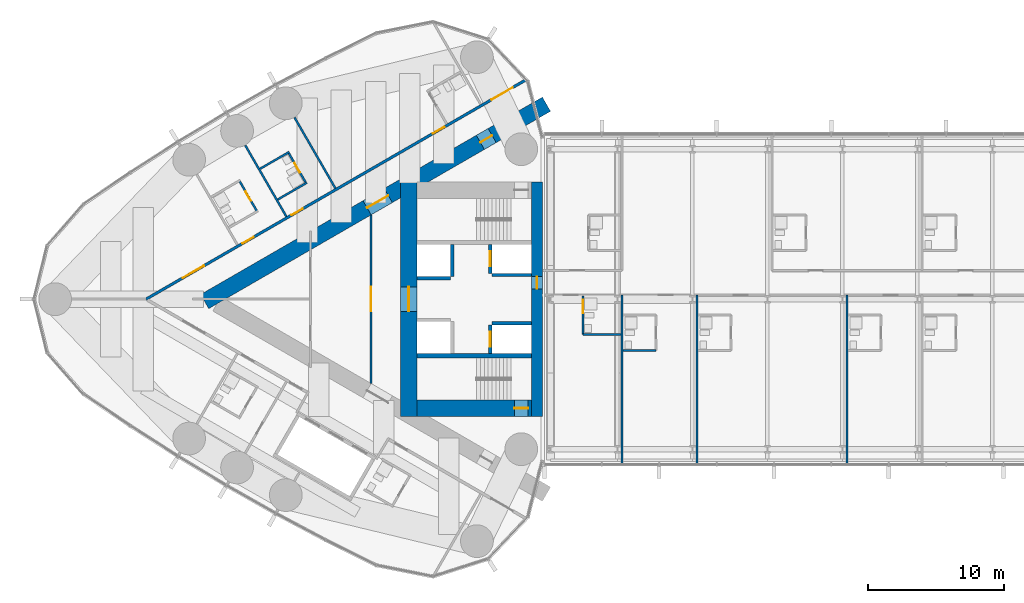
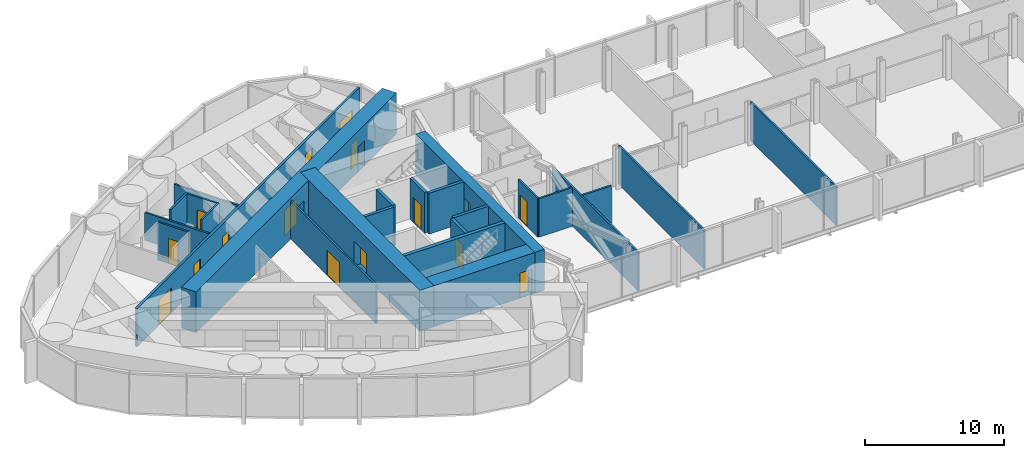
# One storey, part 16 of 24: 25 walls, 16 doors, 16 openings.
"""IFC4 building model written with IfcOpenShell, lengths in metres."""

from ifc_helpers import new_model, si_unit, direction, frame, frame_2d, origin, place, context, subcontext, project, spatial, rectangle, extrude, material, layer, layer_set, type_object, element, fill, save


model = new_model("IFC4")

# Units and contexts
model_context = context("Model", 3, precision=1e-05, world=origin(), true_north=direction((0.0, 1.0)))
body_context = subcontext(model_context, "Body", "Model", "MODEL_VIEW")
ifc_project = project(units=[si_unit("LENGTHUNIT", "METRE"), si_unit("AREAUNIT", "SQUARE_METRE"), si_unit("VOLUMEUNIT", "CUBIC_METRE"), si_unit("PLANEANGLEUNIT", "RADIAN"), si_unit("MASSUNIT", "GRAM", prefix="KILO")], contexts=[model_context])

# Site, building, storey
site_placement = place(None, origin())
site = spatial("IfcSite", under=ifc_project, at=site_placement, CompositionType="ELEMENT")
building_placement = place(site_placement, origin())
building = spatial("IfcBuilding", under=site, at=building_placement, Name="Lancet Gate Hotel", CompositionType="ELEMENT")
storey_placement = place(building_placement, frame((0.0, 0.0, 244.10009765625)))
storey = spatial("IfcBuildingStorey", under=building, at=storey_placement, Name="L65", CompositionType="ELEMENT", Elevation=244.10009765625)

# Wall
ifc_material_1 = material(Name="Moisture resistant board partition")
ifc_layer_1 = layer(ifc_material_1, 0.14990234375)
ifc_layer_set_1 = layer_set([ifc_layer_1], Name="Bathroom wall 150")
wall_type_1 = type_object("IfcWallType", Name="Bathroom wall 150", PredefinedType="PARTITIONING", material=ifc_layer_set_1)
wall_1_placement = place(storey_placement, frame((-46.065185546875, 10.798095703125, 0.0), z_axis=(0.0, 0.0, 1.0), x_axis=(-0.866031185235, -0.4999899861, 0.0)))
element("IfcWall", 1, at=wall_1_placement, inside=storey, type_object=wall_type_1, Name="T1 bathroom wall 150 L65", PredefinedType="PARTITIONING", context=body_context, shape_type="SweptSolid", body=[
    extrude(rectangle(XDim=2.47509765625, YDim=0.14990234375, at=frame_2d((1.237548828125, 0.0))), origin(), (0.0, 0.0, 1.0), 3.349853515625),
])

# Wall, opening, door
wall_2_placement = place(storey_placement, frame((-44.830322265625, 8.509033203125, 0.0), z_axis=(0.0, 0.0, 1.0), x_axis=(-0.499936506574, 0.866062058628, 0.0)))
wall_2 = element("IfcWall", 2, at=wall_2_placement, inside=storey, type_object=wall_type_1, Name="T1 bathroom wall 150 L65", PredefinedType="PARTITIONING", context=body_context, shape_type="SweptSolid", body=[
    extrude(rectangle(XDim=2.599853515625, YDim=0.14990234375, at=frame_2d((1.2998046875, 0.0))), origin(), (0.0, 0.0, 1.0), 3.349853515625),
])
opening_1_placement = place(wall_2_placement, frame((0.89990234375, 0.0, 0.0)))
opening_1 = element("IfcOpeningElement", 3, at=opening_1_placement, cuts=wall_2, Name="Opening 6503-B", PredefinedType="OPENING", context=body_context, shape_type="SweptSolid", body=[
    extrude(rectangle(XDim=0.800048828125, YDim=2.199951171875, at=frame_2d((0.39990234375, 1.10009765625))), frame((0.0, 0.0849609375, 0.0), z_axis=(0.0, -1.0, 0.0), x_axis=(1.0, 0.0, 0.0)), (0.0, 0.0, 1.0), 0.169921875),
])
ifc_material_2 = material(Name="Timber door set", Category="wood")
door_type_1 = type_object("IfcDoorType", Name="Bathroom door 800", OperationType="SINGLE_SWING_RIGHT", PredefinedType="DOOR", material=ifc_material_2)
door_1_placement = place(opening_1_placement, origin())
door_1 = element("IfcDoor", 4, at=door_1_placement, inside=storey, type_object=door_type_1, Name="6503-B", OperationType="SINGLE_SWING_RIGHT", OverallHeight=2.199951171875, OverallWidth=0.800048828125, PredefinedType="DOOR", context=body_context, shape_type="SweptSolid", body=[
    extrude(rectangle(XDim=0.800048828125, YDim=2.199951171875, at=frame_2d((0.39990234375, 1.10009765625))), frame((0.0, 0.02490234375, 0.0), z_axis=(0.0, -1.0, 0.0), x_axis=(1.0, 0.0, 0.0)), (0.0, 0.0, 1.0), 0.050048828125),
])
fill(opening_1, door_1)

# Wall
wall_3_placement = place(storey_placement, frame((-44.765380859375, 8.54638671875, 0.0), z_axis=(0.0, 0.0, 1.0), x_axis=(-0.86604923931, -0.499958713387, 0.0)))
element("IfcWall", 5, at=wall_3_placement, inside=storey, type_object=wall_type_1, Name="T1 bathroom wall 150 L65", PredefinedType="PARTITIONING", context=body_context, shape_type="SweptSolid", body=[
    extrude(rectangle(XDim=2.474853515625, YDim=0.14990234375, at=frame_2d((1.2373046875, 0.0))), origin(), (0.0, 0.0, 1.0), 3.349853515625),
])

# Wall, opening, door
wall_4_placement = place(storey_placement, frame((-48.4228515625, 6.434814453125, 0.0), z_axis=(0.0, 0.0, 1.0), x_axis=(-0.500006934395, 0.866021400173, 0.0)))
wall_4 = element("IfcWall", 6, at=wall_4_placement, inside=storey, type_object=wall_type_1, Name="T1 bathroom wall 150 L65", PredefinedType="PARTITIONING", context=body_context, shape_type="SweptSolid", body=[
    extrude(rectangle(XDim=2.60009765625, YDim=0.14990234375, at=frame_2d((1.300048828125, 0.0))), origin(), (0.0, 0.0, 1.0), 3.349853515625),
])
opening_2_placement = place(wall_4_placement, frame((0.89990234375, 0.0, 0.0)))
opening_2 = element("IfcOpeningElement", 7, at=opening_2_placement, cuts=wall_4, Name="Opening 6504-B", PredefinedType="OPENING", context=body_context, shape_type="SweptSolid", body=[
    extrude(rectangle(XDim=0.800048828125, YDim=2.199951171875, at=frame_2d((0.39990234375, 1.10009765625))), frame((0.0, 0.0849609375, 0.0), z_axis=(0.0, -1.0, 0.0), x_axis=(1.0, 0.0, 0.0)), (0.0, 0.0, 1.0), 0.169921875),
])
door_2_placement = place(opening_2_placement, origin())
door_2 = element("IfcDoor", 8, at=door_2_placement, inside=storey, type_object=door_type_1, Name="6504-B", OperationType="SINGLE_SWING_RIGHT", OverallHeight=2.199951171875, OverallWidth=0.800048828125, PredefinedType="DOOR", context=body_context, shape_type="SweptSolid", body=[
    extrude(rectangle(XDim=0.800048828125, YDim=2.199951171875, at=frame_2d((0.39990234375, 1.10009765625))), frame((0.0, 0.02490234375, 0.0), z_axis=(0.0, -1.0, 0.0), x_axis=(1.0, 0.0, 0.0)), (0.0, 0.0, 1.0), 0.050048828125),
])
fill(opening_2, door_2)

# Wall
wall_5_placement = place(storey_placement, frame((-24.52490234375, -2.574951171875, 0.0), z_axis=(0.0, 0.0, 1.0), x_axis=(1.0, 0.0, 0.0)))
element("IfcWall", 9, at=wall_5_placement, inside=storey, type_object=wall_type_1, Name="Bridge block bathroom wall 150 L65", PredefinedType="PARTITIONING", context=body_context, shape_type="SweptSolid", body=[
    extrude(rectangle(XDim=2.7998046875, YDim=0.14990234375, at=frame_2d((1.39990234375, 0.0))), origin(), (0.0, 0.0, 1.0), 3.39990234375),
])

# Wall, opening, door
wall_6_placement = place(storey_placement, frame((-24.52490234375, -2.574951171875, 0.0), z_axis=(0.0, 0.0, 1.0), x_axis=(0.0, 1.0, 0.0)))
wall_6 = element("IfcWall", 10, at=wall_6_placement, inside=storey, type_object=wall_type_1, Name="Bridge block bathroom wall 150 L65", PredefinedType="PARTITIONING", context=body_context, shape_type="SweptSolid", body=[
    extrude(rectangle(XDim=2.800048828125, YDim=0.14990234375, at=frame_2d((1.39990234375, 0.0))), origin(), (0.0, 0.0, 1.0), 3.39990234375),
])
opening_3_placement = place(wall_6_placement, frame((1.550048828125, 0.0, 0.0)))
opening_3 = element("IfcOpeningElement", 11, at=opening_3_placement, cuts=wall_6, Name="Opening B6501-B", PredefinedType="OPENING", context=body_context, shape_type="SweptSolid", body=[
    extrude(rectangle(XDim=1.0, YDim=2.199951171875, at=frame_2d((0.5, 1.10009765625))), frame((0.0, 0.0849609375, 0.0), z_axis=(0.0, -1.0, 0.0), x_axis=(1.0, 0.0, 0.0)), (0.0, 0.0, 1.0), 0.169921875),
])
ifc_material_3 = material(Name="Timber door set", Category="wood")
door_type_2 = type_object("IfcDoorType", Name="Accessible en-suite door 1000", OperationType="SINGLE_SWING_RIGHT", PredefinedType="DOOR", material=ifc_material_3)
door_3_placement = place(opening_3_placement, origin())
door_3 = element("IfcDoor", 12, at=door_3_placement, inside=storey, type_object=door_type_2, Name="B6501-B", OperationType="SINGLE_SWING_RIGHT", OverallHeight=2.199951171875, OverallWidth=1.0, PredefinedType="DOOR", context=body_context, shape_type="SweptSolid", body=[
    extrude(rectangle(XDim=1.0, YDim=2.199951171875, at=frame_2d((0.5, 1.10009765625))), frame((0.0, 0.02490234375, 0.0), z_axis=(0.0, -1.0, 0.0), x_axis=(1.0, 0.0, 0.0)), (0.0, 0.0, 1.0), 0.050048828125),
])
fill(opening_3, door_3)

# Wall
wall_7_placement = place(storey_placement, frame((-21.574951171875, -3.77490234375, 0.0), z_axis=(0.0, 0.0, 1.0), x_axis=(1.0, 0.0, 0.0)))
element("IfcWall", 13, at=wall_7_placement, inside=storey, type_object=wall_type_1, Name="Bridge block bathroom wall 150 L65", PredefinedType="PARTITIONING", context=body_context, shape_type="SweptSolid", body=[
    extrude(rectangle(XDim=2.39990234375, YDim=0.14990234375, at=frame_2d((1.199951171875, 0.0))), origin(), (0.0, 0.0, 1.0), 3.39990234375),
])

# Wall, openings, doors
ifc_material_4 = material(Name="Concrete C70/85", Category="concrete")
ifc_layer_2 = layer(ifc_material_4, 1.199951171875)
ifc_layer_set_2 = layer_set([ifc_layer_2], Name="Buttress wall 1200")
wall_type_2 = type_object("IfcWallType", Name="Buttress wall 1200", PredefinedType="SHEAR", material=ifc_layer_set_2)
wall_8_placement = place(storey_placement, frame((-27.199951171875, 14.300048828125, 0.0), z_axis=(0.0, 0.0, 1.0), x_axis=(-0.866026593062, -0.499997940104, 0.0)))
wall_8 = element("IfcWall", 14, at=wall_8_placement, inside=storey, type_object=wall_type_2, Name="T1 buttress wall S L65", PredefinedType="SHEAR", context=body_context, shape_type="SweptSolid", body=[
    extrude(rectangle(XDim=28.9462890625, YDim=1.199951171875, at=frame_2d((14.47314453125, 0.0))), origin(), (0.0, 0.0, 1.0), 3.599853515625),
])
opening_4_placement = place(wall_8_placement, frame((4.60009765625, 0.0, 0.0)))
opening_4 = element("IfcOpeningElement", 15, at=opening_4_placement, cuts=wall_8, Name="Opening T1-L65-LS", PredefinedType="OPENING", context=body_context, shape_type="SweptSolid", body=[
    extrude(rectangle(XDim=1.0, YDim=2.199951171875, at=frame_2d((0.5, 1.10009765625))), frame((0.0, 0.60986328125, 0.0), z_axis=(0.0, -1.0, 0.0), x_axis=(1.0, 0.0, 0.0)), (0.0, 0.0, 1.0), 1.219970703125),
])
opening_5_placement = place(wall_8_placement, frame((13.39453125, 0.0, 0.0)))
opening_5 = element("IfcOpeningElement", 16, at=opening_5_placement, cuts=wall_8, Name="Opening T1-L65-LHS", PredefinedType="OPENING", context=body_context, shape_type="SweptSolid", body=[
    extrude(rectangle(XDim=1.800048828125, YDim=2.199951171875, at=frame_2d((0.89990234375, 1.10009765625))), frame((0.0, 0.60986328125, 0.0), z_axis=(0.0, -1.0, 0.0), x_axis=(1.0, 0.0, 0.0)), (0.0, 0.0, 1.0), 1.219970703125),
])
ifc_material_5 = material(Name="Timber door set", Category="wood")
door_type_3 = type_object("IfcDoorType", Name="Lobby double door 1800", OperationType="DOUBLE_DOOR_SINGLE_SWING", PredefinedType="DOOR", material=ifc_material_5)
door_4_placement = place(opening_5_placement, origin())
door_4 = element("IfcDoor", 17, at=door_4_placement, inside=storey, type_object=door_type_3, Name="T1-L65-LHS", OperationType="DOUBLE_DOOR_SINGLE_SWING", OverallHeight=2.199951171875, OverallWidth=1.800048828125, PredefinedType="DOOR", context=body_context, shape_type="SweptSolid", body=[
    extrude(rectangle(XDim=1.800048828125, YDim=2.199951171875, at=frame_2d((0.89990234375, 1.10009765625))), frame((0.0, 0.02490234375, 0.0), z_axis=(0.0, -1.0, 0.0), x_axis=(1.0, 0.0, 0.0)), (0.0, 0.0, 1.0), 0.050048828125),
])
fill(opening_5, door_4)
ifc_material_6 = material(Name="Timber door set", Category="wood")
door_type_4 = type_object("IfcDoorType", Name="Stair lobby door 1000", OperationType="SINGLE_SWING_LEFT", PredefinedType="DOOR", material=ifc_material_6)
door_5_placement = place(opening_4_placement, origin())
door_5 = element("IfcDoor", 18, at=door_5_placement, inside=storey, type_object=door_type_4, Name="T1-L65-LS", OperationType="SINGLE_SWING_LEFT", OverallHeight=2.199951171875, OverallWidth=1.0, PredefinedType="DOOR", context=body_context, shape_type="SweptSolid", body=[
    extrude(rectangle(XDim=1.0, YDim=2.199951171875, at=frame_2d((0.5, 1.10009765625))), frame((0.0, 0.02490234375, 0.0), z_axis=(0.0, -1.0, 0.0), x_axis=(1.0, 0.0, 0.0)), (0.0, 0.0, 1.0), 0.050048828125),
])
fill(opening_4, door_5)

# Wall, opening, door
ifc_material_7 = material(Name="Concrete C70/85", Category="concrete")
ifc_layer_3 = layer(ifc_material_7, 1.199951171875)
ifc_layer_set_3 = layer_set([ifc_layer_3], Name="Core wall 1200")
wall_type_3 = type_object("IfcWallType", Name="Core wall 1200", PredefinedType="SHEAR", material=ifc_layer_set_3)
wall_9_placement = place(storey_placement, frame((-37.300048828125, 8.60009765625, 0.0), z_axis=(0.0, 0.0, 1.0), x_axis=(0.0, -1.0, 0.0)))
wall_9 = element("IfcWall", 19, at=wall_9_placement, inside=storey, type_object=wall_type_3, Name="T1 core wall back L65", PredefinedType="SHEAR", context=body_context, shape_type="SweptSolid", body=[
    extrude(rectangle(XDim=17.2001953125, YDim=1.199951171875, at=frame_2d((8.60009765625, 0.0))), origin(), (0.0, 0.0, 1.0), 3.599853515625),
])
opening_6_placement = place(wall_9_placement, frame((7.699951171875, 0.0, 0.0)))
opening_6 = element("IfcOpeningElement", 20, at=opening_6_placement, cuts=wall_9, Name="Opening T1-L65-LL", PredefinedType="OPENING", context=body_context, shape_type="SweptSolid", body=[
    extrude(rectangle(XDim=1.800048828125, YDim=2.199951171875, at=frame_2d((0.89990234375, 1.10009765625))), frame((0.0, 0.60986328125, 0.0), z_axis=(0.0, -1.0, 0.0), x_axis=(1.0, 0.0, 0.0)), (0.0, 0.0, 1.0), 1.219970703125),
])
door_6_placement = place(opening_6_placement, origin())
door_6 = element("IfcDoor", 21, at=door_6_placement, inside=storey, type_object=door_type_3, Name="T1-L65-LL", OperationType="DOUBLE_DOOR_SINGLE_SWING", OverallHeight=2.199951171875, OverallWidth=1.800048828125, PredefinedType="DOOR", context=body_context, shape_type="SweptSolid", body=[
    extrude(rectangle(XDim=1.800048828125, YDim=2.199951171875, at=frame_2d((0.89990234375, 1.10009765625))), frame((0.0, 0.02490234375, 0.0), z_axis=(0.0, -1.0, 0.0), x_axis=(1.0, 0.0, 0.0)), (0.0, 0.0, 1.0), 0.050048828125),
])
fill(opening_6, door_6)

wall_10_placement = place(storey_placement, frame((-28.300048828125, -8.0, 0.0), z_axis=(0.0, 0.0, 1.0), x_axis=(-1.0, 0.0, 0.0)))
wall_10 = element("IfcWall", 22, at=wall_10_placement, inside=storey, type_object=wall_type_3, Name="T1 core wall side-N L65", PredefinedType="SHEAR", context=body_context, shape_type="SweptSolid", body=[
    extrude(rectangle(XDim=8.39990234375, YDim=1.199951171875, at=frame_2d((4.199951171875, 0.0))), origin(), (0.0, 0.0, 1.0), 3.599853515625),
])
opening_7_placement = place(wall_10_placement, frame((0.25, 0.0, 0.0)))
opening_7 = element("IfcOpeningElement", 23, at=opening_7_placement, cuts=wall_10, Name="Opening T1-L65-ST2", PredefinedType="OPENING", context=body_context, shape_type="SweptSolid", body=[
    extrude(rectangle(XDim=1.0, YDim=2.199951171875, at=frame_2d((0.5, 1.10009765625))), frame((0.0, 0.60986328125, 0.0), z_axis=(0.0, -1.0, 0.0), x_axis=(1.0, 0.0, 0.0)), (0.0, 0.0, 1.0), 1.219970703125),
])
ifc_material_8 = material(Name="Timber door set", Category="wood")
door_type_5 = type_object("IfcDoorType", Name="Stair door 1000", OperationType="SINGLE_SWING_RIGHT", PredefinedType="DOOR", material=ifc_material_8)
door_7_placement = place(opening_7_placement, origin())
door_7 = element("IfcDoor", 24, at=door_7_placement, inside=storey, type_object=door_type_5, Name="T1-L65-ST2", OperationType="SINGLE_SWING_RIGHT", OverallHeight=2.199951171875, OverallWidth=1.0, PredefinedType="DOOR", context=body_context, shape_type="SweptSolid", body=[
    extrude(rectangle(XDim=1.0, YDim=2.199951171875, at=frame_2d((0.5, 1.10009765625))), frame((0.0, 0.02490234375, 0.0), z_axis=(0.0, -1.0, 0.0), x_axis=(1.0, 0.0, 0.0)), (0.0, 0.0, 1.0), 0.050048828125),
])
fill(opening_7, door_7)

ifc_material_9 = material(Name="Concrete C70/85", Category="concrete")
ifc_layer_4 = layer(ifc_material_9, 0.800048828125)
ifc_layer_set_4 = layer_set([ifc_layer_4], Name="Core wall 800")
wall_type_4 = type_object("IfcWallType", Name="Core wall 800", PredefinedType="SHEAR", material=ifc_layer_set_4)
wall_11_placement = place(storey_placement, frame((-27.89990234375, 8.60009765625, 0.0), z_axis=(0.0, 0.0, 1.0), x_axis=(0.0, -1.0, 0.0)))
wall_11 = element("IfcWall", 25, at=wall_11_placement, inside=storey, type_object=wall_type_4, Name="T1 core wall front L65", PredefinedType="SHEAR", context=body_context, shape_type="SweptSolid", body=[
    extrude(rectangle(XDim=17.2001953125, YDim=0.800048828125, at=frame_2d((8.60009765625, 0.0))), origin(), (0.0, 0.0, 1.0), 3.599853515625),
])
opening_8_placement = place(wall_11_placement, frame((6.949951171875, 0.0, 0.0)))
opening_8 = element("IfcOpeningElement", 26, at=opening_8_placement, cuts=wall_11, Name="Opening T1-L65-BR", PredefinedType="OPENING", context=body_context, shape_type="SweptSolid", body=[
    extrude(rectangle(XDim=0.89990234375, YDim=2.199951171875, at=frame_2d((0.449951171875, 1.10009765625))), frame((0.0, 0.409912109375, 0.0), z_axis=(0.0, -1.0, 0.0), x_axis=(1.0, 0.0, 0.0)), (0.0, 0.0, 1.0), 0.820068359375),
])
ifc_material_10 = material(Name="Steel door set", Category="steel")
door_type_6 = type_object("IfcDoorType", Name="Bridge fire door 900", OperationType="SINGLE_SWING_LEFT", PredefinedType="DOOR", material=ifc_material_10)
door_8_placement = place(opening_8_placement, origin())
door_8 = element("IfcDoor", 27, at=door_8_placement, inside=storey, type_object=door_type_6, Name="T1-L65-BR", OperationType="SINGLE_SWING_LEFT", OverallHeight=2.199951171875, OverallWidth=0.89990234375, PredefinedType="DOOR", context=body_context, shape_type="SweptSolid", body=[
    extrude(rectangle(XDim=0.89990234375, YDim=2.199951171875, at=frame_2d((0.449951171875, 1.10009765625))), frame((0.0, 0.02490234375, 0.0), z_axis=(0.0, -1.0, 0.0), x_axis=(1.0, 0.0, 0.0)), (0.0, 0.0, 1.0), 0.050048828125),
])
fill(opening_8, door_8)

# Wall, openings, doors
ifc_material_11 = material(Name="Gypsum board partition")
ifc_layer_5 = layer(ifc_material_11, 0.199951171875)
ifc_layer_set_5 = layer_set([ifc_layer_5], Name="Corridor wall 200")
wall_type_5 = type_object("IfcWallType", Name="Corridor wall 200", PredefinedType="PARTITIONING", material=ifc_layer_set_5)
wall_12_placement = place(storey_placement, frame((-28.737060546875, 16.068359375, 0.0), z_axis=(0.0, 0.0, 1.0), x_axis=(-0.866026057212, -0.499998868229, 0.0)))
wall_12 = element("IfcWall", 28, at=wall_12_placement, inside=storey, type_object=wall_type_5, Name="T1 corridor wall 200 L65", PredefinedType="PARTITIONING", context=body_context, shape_type="SweptSolid", body=[
    extrude(rectangle(XDim=32.13671875, YDim=0.199951171875, at=frame_2d((16.068359375, 0.0))), origin(), (0.0, 0.0, 1.0), 3.349853515625),
])
opening_9_placement = place(wall_12_placement, frame((1.080078125, 0.0, 0.0)))
opening_9 = element("IfcOpeningElement", 29, at=opening_9_placement, cuts=wall_12, Name="Opening 6501-E", PredefinedType="OPENING", context=body_context, shape_type="SweptSolid", body=[
    extrude(rectangle(XDim=1.800048828125, YDim=2.0400390625, at=frame_2d((0.89990234375, 1.02001953125))), frame((0.0, 0.10986328125, 0.0), z_axis=(0.0, -1.0, 0.0), x_axis=(1.0, 0.0, 0.0)), (0.0, 0.0, 1.0), 0.219970703125),
])
opening_10_placement = place(wall_12_placement, frame((6.860107421875, 0.0, 0.0)))
opening_10 = element("IfcOpeningElement", 30, at=opening_10_placement, cuts=wall_12, Name="Opening 6502-E", PredefinedType="OPENING", context=body_context, shape_type="SweptSolid", body=[
    extrude(rectangle(XDim=1.0, YDim=2.199951171875, at=frame_2d((0.5, 1.10009765625))), frame((0.0, 0.10986328125, 0.0), z_axis=(0.0, -1.0, 0.0), x_axis=(1.0, 0.0, 0.0)), (0.0, 0.0, 1.0), 0.219970703125),
])
opening_11_placement = place(wall_12_placement, frame((18.866943359375, 0.0, 0.0)))
opening_11 = element("IfcOpeningElement", 31, at=opening_11_placement, cuts=wall_12, Name="Opening 6503-E", PredefinedType="OPENING", context=body_context, shape_type="SweptSolid", body=[
    extrude(rectangle(XDim=0.949951171875, YDim=2.199951171875, at=frame_2d((0.47509765625, 1.10009765625))), frame((0.0, 0.10986328125, 0.0), z_axis=(0.0, -1.0, 0.0), x_axis=(1.0, 0.0, 0.0)), (0.0, 0.0, 1.0), 0.219970703125),
])
opening_12_placement = place(wall_12_placement, frame((23.015380859375, 0.0, 0.0)))
opening_12 = element("IfcOpeningElement", 32, at=opening_12_placement, cuts=wall_12, Name="Opening 6504-E", PredefinedType="OPENING", context=body_context, shape_type="SweptSolid", body=[
    extrude(rectangle(XDim=0.949951171875, YDim=2.199951171875, at=frame_2d((0.47509765625, 1.10009765625))), frame((0.0, 0.10986328125, 0.0), z_axis=(0.0, -1.0, 0.0), x_axis=(1.0, 0.0, 0.0)), (0.0, 0.0, 1.0), 0.219970703125),
])
opening_13_placement = place(wall_12_placement, frame((27.22607421875, 0.0, 0.0)))
opening_13 = element("IfcOpeningElement", 33, at=opening_13_placement, cuts=wall_12, Name="Opening 6505-E", PredefinedType="OPENING", context=body_context, shape_type="SweptSolid", body=[
    extrude(rectangle(XDim=1.800048828125, YDim=2.199951171875, at=frame_2d((0.89990234375, 1.10009765625))), frame((0.0, 0.10986328125, 0.0), z_axis=(0.0, -1.0, 0.0), x_axis=(1.0, 0.0, 0.0)), (0.0, 0.0, 1.0), 0.219970703125),
])
ifc_material_12 = material(Name="Timber door set", Category="wood")
door_type_7 = type_object("IfcDoorType", Name="Accessible guest room door 1000", OperationType="SINGLE_SWING_LEFT", PredefinedType="DOOR", material=ifc_material_12)
door_9_placement = place(opening_10_placement, origin())
door_9 = element("IfcDoor", 34, at=door_9_placement, inside=storey, type_object=door_type_7, Name="6502-E", OperationType="SINGLE_SWING_LEFT", OverallHeight=2.199951171875, OverallWidth=1.0, PredefinedType="DOOR", context=body_context, shape_type="SweptSolid", body=[
    extrude(rectangle(XDim=1.0, YDim=2.199951171875, at=frame_2d((0.5, 1.10009765625))), frame((0.0, 0.02490234375, 0.0), z_axis=(0.0, -1.0, 0.0), x_axis=(1.0, 0.0, 0.0)), (0.0, 0.0, 1.0), 0.050048828125),
])
fill(opening_10, door_9)
ifc_material_13 = material(Name="Timber door set", Category="wood")
door_type_8 = type_object("IfcDoorType", Name="Double door 1800", OperationType="DOUBLE_DOOR_SINGLE_SWING", PredefinedType="DOOR", material=ifc_material_13)
door_10_placement = place(opening_13_placement, origin())
door_10 = element("IfcDoor", 35, at=door_10_placement, inside=storey, type_object=door_type_8, Name="6505-E", OperationType="DOUBLE_DOOR_SINGLE_SWING", OverallHeight=2.199951171875, OverallWidth=1.800048828125, PredefinedType="DOOR", context=body_context, shape_type="SweptSolid", body=[
    extrude(rectangle(XDim=1.800048828125, YDim=2.199951171875, at=frame_2d((0.89990234375, 1.10009765625))), frame((0.0, 0.02490234375, 0.0), z_axis=(0.0, -1.0, 0.0), x_axis=(1.0, 0.0, 0.0)), (0.0, 0.0, 1.0), 0.050048828125),
])
fill(opening_13, door_10)
ifc_material_14 = material(Name="Timber door set", Category="wood")
door_type_9 = type_object("IfcDoorType", Name="Double door 1800, 2040 high", OperationType="DOUBLE_DOOR_SINGLE_SWING", PredefinedType="DOOR", material=ifc_material_14)
door_11_placement = place(opening_9_placement, origin())
door_11 = element("IfcDoor", 36, at=door_11_placement, inside=storey, type_object=door_type_9, Name="6501-E", OperationType="DOUBLE_DOOR_SINGLE_SWING", OverallHeight=2.0400390625, OverallWidth=1.800048828125, PredefinedType="DOOR", context=body_context, shape_type="SweptSolid", body=[
    extrude(rectangle(XDim=1.800048828125, YDim=2.0400390625, at=frame_2d((0.89990234375, 1.02001953125))), frame((0.0, 0.02490234375, 0.0), z_axis=(0.0, -1.0, 0.0), x_axis=(1.0, 0.0, 0.0)), (0.0, 0.0, 1.0), 0.050048828125),
])
fill(opening_9, door_11)
ifc_material_15 = material(Name="Timber door set", Category="wood")
door_type_10 = type_object("IfcDoorType", Name="Guest room entry door 950", OperationType="SINGLE_SWING_LEFT", PredefinedType="DOOR", material=ifc_material_15)
door_12_placement = place(opening_11_placement, origin())
door_12 = element("IfcDoor", 37, at=door_12_placement, inside=storey, type_object=door_type_10, Name="6503-E", OperationType="SINGLE_SWING_LEFT", OverallHeight=2.199951171875, OverallWidth=0.949951171875, PredefinedType="DOOR", context=body_context, shape_type="SweptSolid", body=[
    extrude(rectangle(XDim=0.949951171875, YDim=2.199951171875, at=frame_2d((0.47509765625, 1.10009765625))), frame((0.0, 0.02490234375, 0.0), z_axis=(0.0, -1.0, 0.0), x_axis=(1.0, 0.0, 0.0)), (0.0, 0.0, 1.0), 0.050048828125),
])
fill(opening_11, door_12)
door_13_placement = place(opening_12_placement, origin())
door_13 = element("IfcDoor", 38, at=door_13_placement, inside=storey, type_object=door_type_10, Name="6504-E", OperationType="SINGLE_SWING_LEFT", OverallHeight=2.199951171875, OverallWidth=0.949951171875, PredefinedType="DOOR", context=body_context, shape_type="SweptSolid", body=[
    extrude(rectangle(XDim=0.949951171875, YDim=2.199951171875, at=frame_2d((0.47509765625, 1.10009765625))), frame((0.0, 0.02490234375, 0.0), z_axis=(0.0, -1.0, 0.0), x_axis=(1.0, 0.0, 0.0)), (0.0, 0.0, 1.0), 0.050048828125),
])
fill(opening_12, door_13)

# Wall, opening, door
ifc_material_16 = material(Name="Concrete C50/60", Category="concrete")
ifc_layer_6 = layer(ifc_material_16, 0.25)
ifc_layer_set_6 = layer_set([ifc_layer_6], Name="Lift shaft wall 250")
wall_type_6 = type_object("IfcWallType", Name="Lift shaft wall 250", PredefinedType="SHEAR", material=ifc_layer_set_6)
wall_13_placement = place(storey_placement, frame((-31.324951171875, 4.0, 0.0), z_axis=(0.0, 0.0, 1.0), x_axis=(0.0, -1.0, 0.0)))
wall_13 = element("IfcWall", 39, at=wall_13_placement, inside=storey, type_object=wall_type_6, Name="T1 core wall row1-S L65", PredefinedType="SHEAR", context=body_context, shape_type="SweptSolid", body=[
    extrude(rectangle(XDim=2.10009765625, YDim=0.25, at=frame_2d((1.050048828125, 0.0))), origin(), (0.0, 0.0, 1.0), 3.599853515625),
])
opening_14_placement = place(wall_13_placement, frame((0.5, 0.0, 0.0)))
opening_14 = element("IfcOpeningElement", 40, at=opening_14_placement, cuts=wall_13, Name="Opening T1-SL1-L65", PredefinedType="OPENING", context=body_context, shape_type="SweptSolid", body=[
    extrude(rectangle(XDim=1.10009765625, YDim=2.199951171875, at=frame_2d((0.550048828125, 1.10009765625))), frame((0.0, 0.135009765625, 0.0), z_axis=(0.0, -1.0, 0.0), x_axis=(1.0, 0.0, 0.0)), (0.0, 0.0, 1.0), 0.27001953125),
])
ifc_material_17 = material(Name="Timber door set", Category="wood")
door_type_11 = type_object("IfcDoorType", Name="Service lift landing door 1100", OperationType="SLIDING_TO_LEFT", PredefinedType="USERDEFINED", material=ifc_material_17)
door_14_placement = place(opening_14_placement, origin())
door_14 = element("IfcDoor", 41, at=door_14_placement, inside=storey, type_object=door_type_11, Name="T1-SL1-L65", ObjectType="LIFT LANDING DOOR", OperationType="SLIDING_TO_LEFT", OverallHeight=2.199951171875, OverallWidth=1.10009765625, PredefinedType="USERDEFINED", context=body_context, shape_type="SweptSolid", body=[
    extrude(rectangle(XDim=1.10009765625, YDim=2.199951171875, at=frame_2d((0.550048828125, 1.10009765625))), frame((0.0, 0.02490234375, 0.0), z_axis=(0.0, -1.0, 0.0), x_axis=(1.0, 0.0, 0.0)), (0.0, 0.0, 1.0), 0.050048828125),
])
fill(opening_14, door_14)

# Walls
wall_14_placement = place(storey_placement, frame((-34.125, 4.0, 0.0), z_axis=(0.0, 0.0, 1.0), x_axis=(0.0, -1.0, 0.0)))
element("IfcWall", 42, at=wall_14_placement, inside=storey, type_object=wall_type_6, Name="T1 core wall row2-S L65", PredefinedType="SHEAR", context=body_context, shape_type="SweptSolid", body=[
    extrude(rectangle(XDim=2.35009765625, YDim=0.25, at=frame_2d((1.175048828125, 0.0))), origin(), (0.0, 0.0, 1.0), 3.599853515625),
])
wall_15_placement = place(storey_placement, frame((-28.300048828125, 1.77490234375, 0.0), z_axis=(0.0, 0.0, 1.0), x_axis=(-1.0, 0.0, 0.0)))
element("IfcWall", 43, at=wall_15_placement, inside=storey, type_object=wall_type_6, Name="T1 core wall pass1-S L65", PredefinedType="SHEAR", context=body_context, shape_type="SweptSolid", body=[
    extrude(rectangle(XDim=2.89990234375, YDim=0.25, at=frame_2d((1.449951171875, 0.0))), origin(), (0.0, 0.0, 1.0), 3.599853515625),
])
wall_16_placement = place(storey_placement, frame((-34.25, 1.52490234375, 0.0), z_axis=(0.0, 0.0, 1.0), x_axis=(-1.0, 0.0, 0.0)))
element("IfcWall", 44, at=wall_16_placement, inside=storey, type_object=wall_type_6, Name="T1 core wall pass2-S L65", PredefinedType="SHEAR", context=body_context, shape_type="SweptSolid", body=[
    extrude(rectangle(XDim=2.449951171875, YDim=0.25, at=frame_2d((1.22509765625, 0.0))), origin(), (0.0, 0.0, 1.0), 3.599853515625),
])

# Wall, opening, door
wall_17_placement = place(storey_placement, frame((-31.324951171875, -1.89990234375, 0.0), z_axis=(0.0, 0.0, 1.0), x_axis=(0.0, -1.0, 0.0)))
wall_17 = element("IfcWall", 45, at=wall_17_placement, inside=storey, type_object=wall_type_6, Name="T1 core wall row1-N L65", PredefinedType="SHEAR", context=body_context, shape_type="SweptSolid", body=[
    extrude(rectangle(XDim=2.10009765625, YDim=0.25, at=frame_2d((1.050048828125, 0.0))), origin(), (0.0, 0.0, 1.0), 3.599853515625),
])
opening_15_placement = place(wall_17_placement, frame((0.5, 0.0, 0.0)))
opening_15 = element("IfcOpeningElement", 46, at=opening_15_placement, cuts=wall_17, Name="Opening T1-FL2-L65", PredefinedType="OPENING", context=body_context, shape_type="SweptSolid", body=[
    extrude(rectangle(XDim=1.10009765625, YDim=2.199951171875, at=frame_2d((0.550048828125, 1.10009765625))), frame((0.0, 0.135009765625, 0.0), z_axis=(0.0, -1.0, 0.0), x_axis=(1.0, 0.0, 0.0)), (0.0, 0.0, 1.0), 0.27001953125),
])
ifc_material_18 = material(Name="Steel door set", Category="steel")
door_type_12 = type_object("IfcDoorType", Name="Firefighting lift landing door 1100", OperationType="SLIDING_TO_LEFT", PredefinedType="USERDEFINED", material=ifc_material_18)
door_15_placement = place(opening_15_placement, origin())
door_15 = element("IfcDoor", 47, at=door_15_placement, inside=storey, type_object=door_type_12, Name="T1-FL2-L65", ObjectType="LIFT LANDING DOOR", OperationType="SLIDING_TO_LEFT", OverallHeight=2.199951171875, OverallWidth=1.10009765625, PredefinedType="USERDEFINED", context=body_context, shape_type="SweptSolid", body=[
    extrude(rectangle(XDim=1.10009765625, YDim=2.199951171875, at=frame_2d((0.550048828125, 1.10009765625))), frame((0.0, 0.02490234375, 0.0), z_axis=(0.0, -1.0, 0.0), x_axis=(1.0, 0.0, 0.0)), (0.0, 0.0, 1.0), 0.050048828125),
])
fill(opening_15, door_15)

# Walls
wall_18_placement = place(storey_placement, frame((-28.300048828125, -1.77490234375, 0.0), z_axis=(0.0, 0.0, 1.0), x_axis=(-1.0, 0.0, 0.0)))
element("IfcWall", 48, at=wall_18_placement, inside=storey, type_object=wall_type_6, Name="T1 core wall pass1-N L65", PredefinedType="SHEAR", context=body_context, shape_type="SweptSolid", body=[
    extrude(rectangle(XDim=2.89990234375, YDim=0.25, at=frame_2d((1.449951171875, 0.0))), origin(), (0.0, 0.0, 1.0), 3.599853515625),
])
ifc_material_19 = material(Name="Gypsum board partition")
ifc_layer_7 = layer(ifc_material_19, 0.14990234375)
ifc_layer_set_7 = layer_set([ifc_layer_7], Name="Party wall 150")
wall_type_7 = type_object("IfcWallType", Name="Party wall 150", PredefinedType="PARTITIONING", material=ifc_layer_set_7)
wall_19_placement = place(storey_placement, frame((-42.680419921875, 8.133544921875, 0.0), z_axis=(0.0, 0.0, 1.0), x_axis=(-0.499984479505, 0.866034364361, 0.0)))
element("IfcWall", 49, at=wall_19_placement, inside=storey, type_object=wall_type_7, Name="T1 party wall 150 L65", PredefinedType="PARTITIONING", context=body_context, shape_type="SweptSolid", body=[
    extrude(rectangle(XDim=5.995361328125, YDim=0.14990234375, at=frame_2d((2.99755859375, 0.0))), origin(), (0.0, 0.0, 1.0), 2.449951171875),
])
wall_20_placement = place(storey_placement, frame((-46.273681640625, 6.05908203125, 0.0), z_axis=(0.0, 0.0, 1.0), x_axis=(-0.500020471368, 0.866013584312, 0.0)))
element("IfcWall", 50, at=wall_20_placement, inside=storey, type_object=wall_type_7, Name="T1 party wall 150 L65", PredefinedType="PARTITIONING", context=body_context, shape_type="SweptSolid", body=[
    extrude(rectangle(XDim=6.027587890625, YDim=0.14990234375, at=frame_2d((3.013671875, 0.0))), origin(), (0.0, 0.0, 1.0), 2.449951171875),
])
for number, where, z_axis, x_axis, name in (
    (51, (-21.64990234375, -12.070068359375, 0.0), (0.0, 0.0, 1.0), (0.0, 1.0, 0.0), "Bridge block party wall 150 L65"),
    (52, (-16.14990234375, -12.070068359375, 0.0), (0.0, 0.0, 1.0), (0.0, 1.0, 0.0), "Bridge block party wall 150 L65"),
    (53, (-5.14990234375, -12.070068359375, 0.0), (0.0, 0.0, 1.0), (0.0, 1.0, 0.0), "Bridge block party wall 150 L65"),
):
    element("IfcWall", number, at=place(storey_placement, frame(where, z_axis=z_axis, x_axis=x_axis)), inside=storey, type_object=wall_type_7, Name=name, PredefinedType="PARTITIONING", context=body_context, shape_type="SweptSolid", body=[
        extrude(rectangle(XDim=12.3701171875, YDim=0.14990234375, at=frame_2d((6.18505859375, 0.0))), origin(), (0.0, 0.0, 1.0), 3.39990234375),
    ])

# Wall, opening, door
ifc_material_20 = material(Name="Gypsum board partition")
ifc_layer_8 = layer(ifc_material_20, 0.14990234375)
ifc_layer_set_8 = layer_set([ifc_layer_8], Name="Service room wall 150")
wall_type_8 = type_object("IfcWallType", Name="Service room wall 150", PredefinedType="PARTITIONING", material=ifc_layer_set_8)
wall_21_placement = place(storey_placement, frame((-40.074951171875, 6.173828125, 0.0), z_axis=(0.0, 0.0, 1.0), x_axis=(0.0, -1.0, 0.0)))
wall_21 = element("IfcWall", 54, at=wall_21_placement, inside=storey, type_object=wall_type_8, Name="T1 service room wall 150 L65", PredefinedType="PARTITIONING", context=body_context, shape_type="SweptSolid", body=[
    extrude(rectangle(XDim=12.34765625, YDim=0.14990234375, at=frame_2d((6.173828125, 0.0))), origin(), (0.0, 0.0, 1.0), 3.349853515625),
])
opening_16_placement = place(wall_21_placement, frame((5.273681640625, 0.0, 0.0)))
opening_16 = element("IfcOpeningElement", 55, at=opening_16_placement, cuts=wall_21, Name="Opening T1-L65-LH", PredefinedType="OPENING", context=body_context, shape_type="SweptSolid", body=[
    extrude(rectangle(XDim=1.800048828125, YDim=2.199951171875, at=frame_2d((0.89990234375, 1.10009765625))), frame((0.0, 0.0849609375, 0.0), z_axis=(0.0, -1.0, 0.0), x_axis=(1.0, 0.0, 0.0)), (0.0, 0.0, 1.0), 0.169921875),
])
door_16_placement = place(opening_16_placement, origin())
door_16 = element("IfcDoor", 56, at=door_16_placement, inside=storey, type_object=door_type_3, Name="T1-L65-LH", OperationType="DOUBLE_DOOR_SINGLE_SWING", OverallHeight=2.199951171875, OverallWidth=1.800048828125, PredefinedType="DOOR", context=body_context, shape_type="SweptSolid", body=[
    extrude(rectangle(XDim=1.800048828125, YDim=2.199951171875, at=frame_2d((0.89990234375, 1.10009765625))), frame((0.0, 0.02490234375, 0.0), z_axis=(0.0, -1.0, 0.0), x_axis=(1.0, 0.0, 0.0)), (0.0, 0.0, 1.0), 0.050048828125),
])
fill(opening_16, door_16)

# Wall
ifc_material_21 = material(Name="Concrete C50/60", Category="concrete")
ifc_layer_9 = layer(ifc_material_21, 0.300048828125)
ifc_layer_set_9 = layer_set([ifc_layer_9], Name="Stair enclosure wall 300")
wall_type_9 = type_object("IfcWallType", Name="Stair enclosure wall 300", PredefinedType="SHEAR", material=ifc_layer_set_9)
wall_22_placement = place(storey_placement, frame((-28.300048828125, -4.14990234375, 0.0), z_axis=(0.0, 0.0, 1.0), x_axis=(-1.0, 0.0, 0.0)))
element("IfcWall", 57, at=wall_22_placement, inside=storey, type_object=wall_type_9, Name="T1 core wall stair-N L65", PredefinedType="SHEAR", context=body_context, shape_type="SweptSolid", body=[
    extrude(rectangle(XDim=8.39990234375, YDim=0.300048828125, at=frame_2d((4.199951171875, 0.0))), origin(), (0.0, 0.0, 1.0), 3.599853515625),
])

save(model, "model.ifc")
